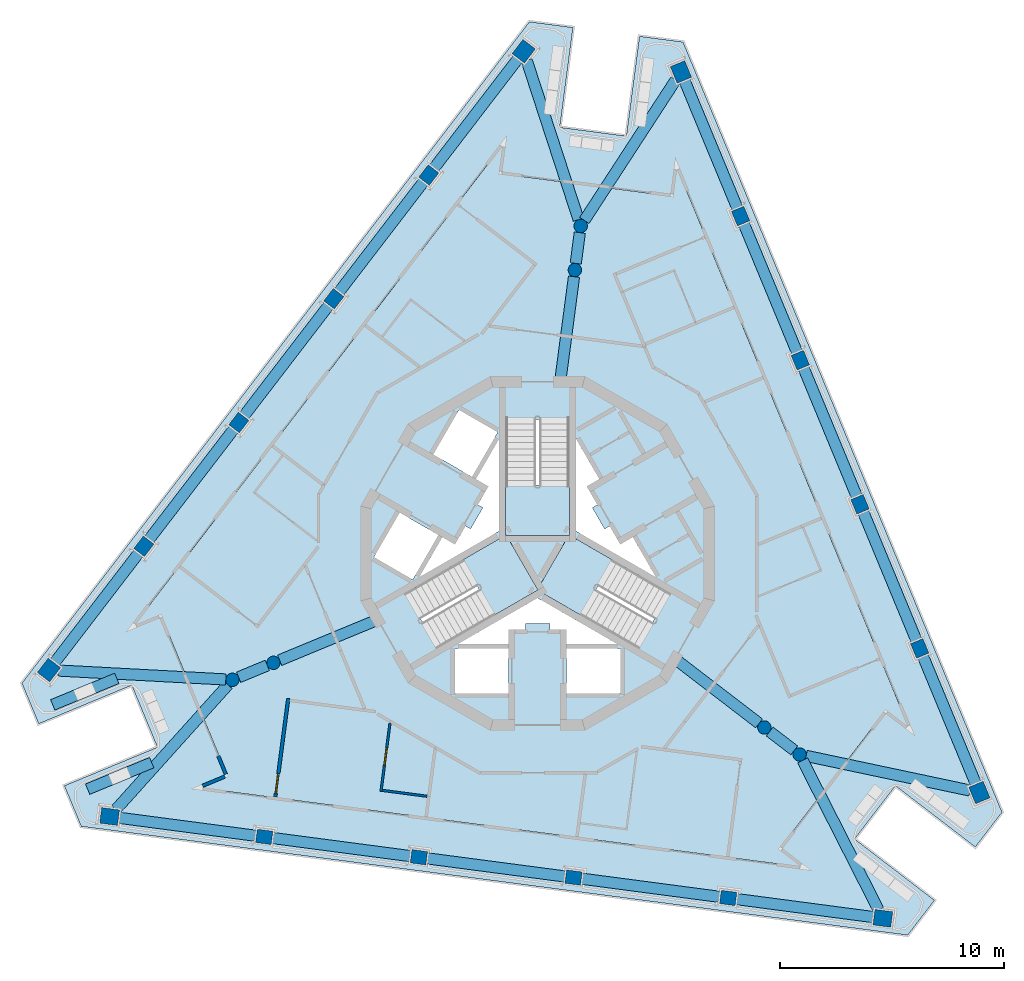
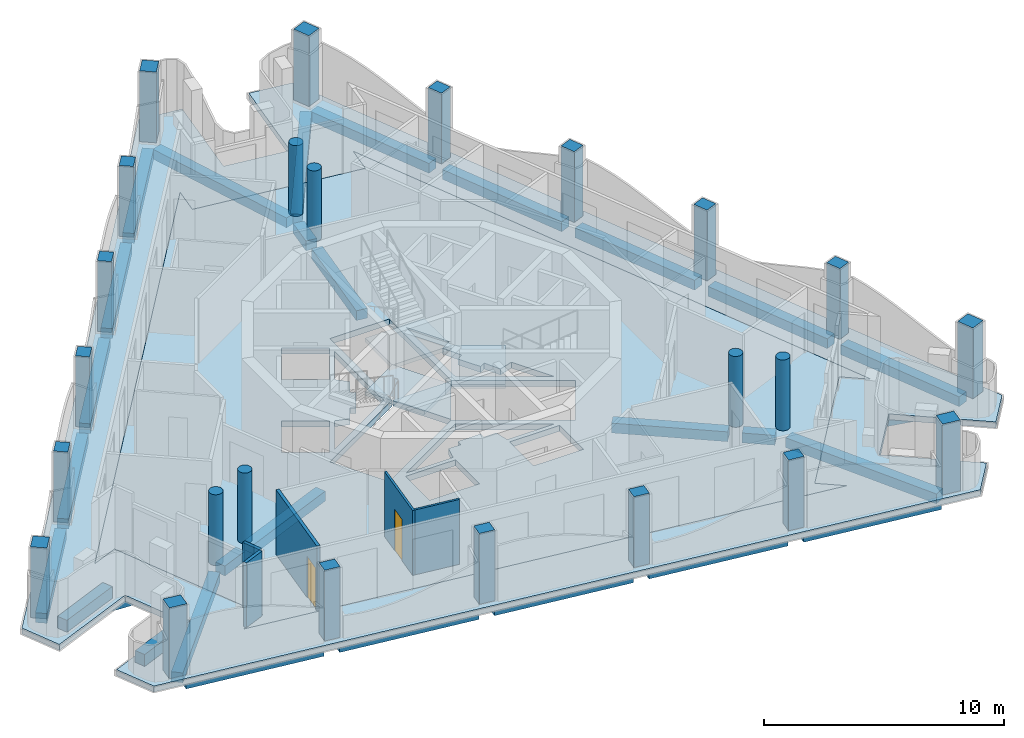
# One storey, part 1 of 12: 27 beams, 24 columns, 7 walls, 6 slabs, 2 doors, 2 openings, 3 elements without a shape of their own.
"""IFC4 building model written with IfcOpenShell, lengths in metres."""

from ifc_helpers import new_model, si_unit, direction, frame, frame_2d, origin, origin_2d, place, context, subcontext, project, spatial, polyline, rectangle, circle, outline, extrude, material, layer, layer_set, material_profile, profile_set, type_object, element, fill, aggregate, save


model = new_model("IFC4")

# Units and contexts
model_context = context("Model", 3, precision=1e-05, world=origin(), true_north=direction((0.0, 1.0)))
body_context = subcontext(model_context, "Body", "Model", "MODEL_VIEW")
ifc_project = project(units=[si_unit("LENGTHUNIT", "METRE"), si_unit("AREAUNIT", "SQUARE_METRE"), si_unit("VOLUMEUNIT", "CUBIC_METRE"), si_unit("PLANEANGLEUNIT", "RADIAN"), si_unit("MASSUNIT", "GRAM", prefix="KILO")], contexts=[model_context])

# Site, building, storey
site_placement = place(None, origin())
site = spatial("IfcSite", under=ifc_project, at=site_placement, CompositionType="ELEMENT")
building_placement = place(site_placement, origin())
building = spatial("IfcBuilding", under=site, at=building_placement, Name="Trine Commons Tower", CompositionType="ELEMENT")
storey_placement = place(building_placement, frame((0.0, 0.0, 293.39990234375)))
storey = spatial("IfcBuildingStorey", under=building, at=storey_placement, Name="L77", CompositionType="ELEMENT", Elevation=293.39990234375)

# Columns
ifc_material_1 = material(Name="Concrete C50/60", Category="concrete")
ifc_material_profile_1 = material_profile(ifc_material_1, rectangle(XDim=0.699951171875, YDim=0.60009765625, at=origin_2d()), Name="RC 700x600")
ifc_profile_set_1 = profile_set([ifc_material_profile_1], Name="Concrete C50/60")
column_type_1 = type_object("IfcColumnType", Name="RC column 700x600, C50/60", PredefinedType="COLUMN", material=ifc_profile_set_1)
for number, where, z_axis, x_axis, name in (
    (1, (88.521728515625, 47.098876953125, 0.0), (0.0, 0.0, 1.0), (-0.991444861374, 0.13052619222, 0.0), "Column PC8-02 L77"),
    (2, (81.608642578125, 48.009033203125, 0.0), (0.0, 0.0, 1.0), (-0.991444861374, 0.13052619222, 0.0), "Column PC8-03 L77"),
    (3, (74.695556640625, 48.919189453125, 0.0), (0.0, 0.0, 1.0), (-0.991444861374, 0.13052619222, 0.0), "Column PC8-04 L77"),
    (4, (67.782470703125, 49.8291015625, 0.0), (0.0, 0.0, 1.0), (-0.991444861374, 0.13052619222, 0.0), "Column PC8-05 L77"),
    (5, (62.4013671875, 62.820556640625, 0.0), (0.0, 0.0, 1.0), (0.608761429009, 0.793353340291, 0.0), "Column PC8-08 L77"),
    (6, (66.64599609375, 68.352294921875, 0.0), (0.0, 0.0, 1.0), (0.608761429009, 0.793353340291, 0.0), "Column PC8-09 L77"),
    (7, (70.890869140625, 73.88427734375, 0.0), (0.0, 0.0, 1.0), (0.608761429009, 0.793353340291, 0.0), "Column PC8-10 L77"),
    (8, (75.135498046875, 79.416015625, 0.0), (0.0, 0.0, 1.0), (0.608761429009, 0.793353340291, 0.0), "Column PC8-11 L77"),
    (9, (89.076904296875, 77.58056640625, 0.0), (0.0, 0.0, 1.0), (-0.382683432365, 0.923879532511, 0.0), "Column PC8-14 L77"),
    (10, (91.745361328125, 71.138671875, 0.0), (0.0, 0.0, 1.0), (-0.382683432365, 0.923879532511, 0.0), "Column PC8-15 L77"),
    (11, (94.41357421875, 64.69677734375, 0.0), (0.0, 0.0, 1.0), (-0.382683432365, 0.923879532511, 0.0), "Column PC8-16 L77"),
    (12, (97.081787109375, 58.254638671875, 0.0), (0.0, 0.0, 1.0), (-0.382683432365, 0.923879532511, 0.0), "Column PC8-17 L77"),
):
    element("IfcColumn", number, at=place(storey_placement, frame(where, z_axis=z_axis, x_axis=x_axis)), inside=storey, type_object=column_type_1, Name=name, PredefinedType="COLUMN", context=body_context, shape_type="SweptSolid", body=[
        extrude(rectangle(XDim=0.699951171875, YDim=0.60009765625, at=origin_2d()), origin(), (0.0, 0.0, 1.0), 3.60009765625),
    ])
ifc_material_profile_2 = material_profile(ifc_material_1, rectangle(XDim=0.800048828125, YDim=0.699951171875, at=origin_2d()), Name="RC 800x700")
ifc_profile_set_2 = profile_set([ifc_material_profile_2], Name="Concrete C50/60")
column_type_2 = type_object("IfcColumnType", Name="RC column 800x700, C50/60", PredefinedType="COLUMN", material=ifc_profile_set_2)
for number, where, z_axis, x_axis, name in (
    (13, (95.434814453125, 46.188720703125, 0.0), (0.0, 0.0, 1.0), (-0.991444861374, 0.13052619222, 0.0), "Column PC8-01 L77"),
    (14, (60.869384765625, 50.7392578125, 0.0), (0.0, 0.0, 1.0), (-0.991444861374, 0.13052619222, 0.0), "Column PC8-06 L77"),
    (15, (58.156494140625, 57.288818359375, 0.0), (0.0, 0.0, 1.0), (0.608761429009, 0.793353340291, 0.0), "Column PC8-07 L77"),
    (16, (79.380126953125, 84.947998046875, 0.0), (0.0, 0.0, 1.0), (0.608761429009, 0.793353340291, 0.0), "Column PC8-12 L77"),
    (17, (86.40869140625, 84.022705078125, 0.0), (0.0, 0.0, 1.0), (-0.382683432365, 0.923879532511, 0.0), "Column PC8-13 L77"),
    (18, (99.750244140625, 51.812744140625, 0.0), (0.0, 0.0, 1.0), (-0.382683432365, 0.923879532511, 0.0), "Column PC8-18 L77"),
):
    element("IfcColumn", number, at=place(storey_placement, frame(where, z_axis=z_axis, x_axis=x_axis)), inside=storey, type_object=column_type_2, Name=name, PredefinedType="COLUMN", context=body_context, shape_type="SweptSolid", body=[
        extrude(rectangle(XDim=0.800048828125, YDim=0.699951171875, at=origin_2d()), origin(), (0.0, 0.0, 1.0), 3.60009765625),
    ])
ifc_material_profile_3 = material_profile(ifc_material_1, circle(Radius=0.300048828125, at=origin_2d()), Name="RC round 600")
ifc_profile_set_3 = profile_set([ifc_material_profile_3], Name="Concrete C50/60")
column_type_3 = type_object("IfcColumnType", Name="RC round column 600 mm, C50/60", PredefinedType="COLUMN", material=ifc_profile_set_3)
for number, where, z_axis, x_axis, name in (
    (19, (90.137451171875, 54.72119140625, 0.0), (0.0, 0.0, 1.0), (1.0, 0.0, 0.0), "Column WC8-1 L77"),
    (20, (91.711669921875, 53.513427734375, 0.0), (0.0, 0.0, 1.0), (1.0, 0.0, 0.0), "Column WC8-2 L77"),
    (21, (81.66796875, 75.168701171875, 0.0), (0.0, 0.0, 1.0), (1.0, 0.0, 0.0), "Column WC8-3 L77"),
    (22, (81.927001953125, 77.135986328125, 0.0), (0.0, 0.0, 1.0), (1.0, 0.0, 0.0), "Column WC8-4 L77"),
    (23, (68.194580078125, 57.610107421875, 0.0), (0.0, 0.0, 1.0), (1.0, 0.0, 0.0), "Column WC8-5 L77"),
    (24, (66.361572265625, 56.850830078125, 0.0), (0.0, 0.0, 1.0), (1.0, 0.0, 0.0), "Column WC8-6 L77"),
):
    element("IfcColumn", number, at=place(storey_placement, frame(where, z_axis=z_axis, x_axis=x_axis)), inside=storey, type_object=column_type_3, Name=name, PredefinedType="COLUMN", context=body_context, shape_type="SweptSolid", body=[
        extrude(circle(Radius=0.300048828125, at=origin_2d()), origin(), (0.0, 0.0, 1.0), 3.60009765625),
    ])

# Beams
ifc_material_2 = material(Name="Concrete C40/50", Category="concrete")
ifc_material_profile_4 = material_profile(ifc_material_2, rectangle(XDim=0.5, YDim=0.5, at=origin_2d()), Name="RC 500x500")
ifc_profile_set_4 = profile_set([ifc_material_profile_4], Name="Concrete C40/50")
beam_type = type_object("IfcBeamType", Name="RC beam 500x500, C40/50", PredefinedType="BEAM", material=ifc_profile_set_4)
beam_1_placement = place(storey_placement, frame((95.0380859375, 46.240966796875, -0.5498046875), z_axis=(-0.991444143506, 0.130531644853, 0.0), x_axis=(-0.130531644853, -0.991444143506, 0.0)))
element("IfcBeam", 25, at=beam_1_placement, inside=storey, type_object=beam_type, Name="Beam EB8-01 L77", PredefinedType="BEAM", context=body_context, shape_type="SweptSolid", body=[
    extrude(rectangle(XDim=0.5, YDim=0.5, at=origin_2d()), origin(), (0.0, 0.0, 1.0), 6.22265625),
])
beam_2_placement = place(storey_placement, frame((88.1748046875, 47.14453125, -0.5498046875), z_axis=(-0.9914427663, 0.130542104902, 0.0), x_axis=(-0.130542104902, -0.9914427663, 0.0)))
element("IfcBeam", 26, at=beam_2_placement, inside=storey, type_object=beam_type, Name="Beam EB8-02 L77", PredefinedType="BEAM", context=body_context, shape_type="SweptSolid", body=[
    extrude(rectangle(XDim=0.5, YDim=0.5, at=origin_2d()), origin(), (0.0, 0.0, 1.0), 6.272705078125),
])
for number, where, z_axis, x_axis, name in (
    (27, (81.26171875, 48.0546875, -0.5498046875), (-0.991448465824, 0.130498810784, 0.0), (-0.130498810784, -0.991448465824, 0.0), "Beam EB8-03 L77"),
    (28, (74.3486328125, 48.96484375, -0.5498046875), (-0.991448465824, 0.130498810784, 0.0), (-0.130498810784, -0.991448465824, 0.0), "Beam EB8-04 L77"),
):
    element("IfcBeam", number, at=place(storey_placement, frame(where, z_axis=z_axis, x_axis=x_axis)), inside=storey, type_object=beam_type, Name=name, PredefinedType="BEAM", context=body_context, shape_type="SweptSolid", body=[
        extrude(rectangle(XDim=0.5, YDim=0.5, at=origin_2d()), origin(), (0.0, 0.0, 1.0), 6.27294921875),
    ])
for number, where, z_axis, x_axis, name in (
    (29, (67.435546875, 49.875, -0.5498046875), (-0.991449220248, 0.130493079009, 0.0), (-0.130493079009, -0.991449220248, 0.0), "Beam EB8-05 L77"),
    (30, (58.400146484375, 57.60595703125, -0.5498046875), (0.60875848978, 0.793355595632, 0.0), (-0.793355595632, 0.60875848978, 0.0), "Beam EB8-06 L77"),
):
    element("IfcBeam", number, at=place(storey_placement, frame(where, z_axis=z_axis, x_axis=x_axis)), inside=storey, type_object=beam_type, Name=name, PredefinedType="BEAM", context=body_context, shape_type="SweptSolid", body=[
        extrude(rectangle(XDim=0.5, YDim=0.5, at=origin_2d()), origin(), (0.0, 0.0, 1.0), 6.22265625),
    ])
for number, where, z_axis, x_axis, name in (
    (31, (62.614501953125, 63.09814453125, -0.5498046875), (0.608756693169, 0.793356974206, 0.0), (-0.793356974206, 0.608756693169, 0.0), "Beam EB8-07 L77"),
    (32, (66.859130859375, 68.630126953125, -0.5498046875), (0.608775490712, 0.793342550169, 0.0), (-0.793342550169, 0.608775490712, 0.0), "Beam EB8-08 L77"),
):
    element("IfcBeam", number, at=place(storey_placement, frame(where, z_axis=z_axis, x_axis=x_axis)), inside=storey, type_object=beam_type, Name=name, PredefinedType="BEAM", context=body_context, shape_type="SweptSolid", body=[
        extrude(rectangle(XDim=0.5, YDim=0.5, at=origin_2d()), origin(), (0.0, 0.0, 1.0), 6.272705078125),
    ])
beam_3_placement = place(storey_placement, frame((71.10400390625, 74.161865234375, -0.5498046875), z_axis=(0.608750992772, 0.793361348188, 0.0), x_axis=(-0.793361348188, 0.608750992772, 0.0)))
element("IfcBeam", 33, at=beam_3_placement, inside=storey, type_object=beam_type, Name="Beam EB8-09 L77", PredefinedType="BEAM", context=body_context, shape_type="SweptSolid", body=[
    extrude(rectangle(XDim=0.5, YDim=0.5, at=origin_2d()), origin(), (0.0, 0.0, 1.0), 6.2724609375),
])
beam_4_placement = place(storey_placement, frame((75.3486328125, 79.693603515625, -0.5498046875), z_axis=(0.60873954155, 0.793370134649, 0.0), x_axis=(-0.793370134649, 0.60873954155, 0.0)))
element("IfcBeam", 34, at=beam_4_placement, inside=storey, type_object=beam_type, Name="Beam EB8-10 L77", PredefinedType="BEAM", context=body_context, shape_type="SweptSolid", body=[
    extrude(rectangle(XDim=0.5, YDim=0.5, at=origin_2d()), origin(), (0.0, 0.0, 1.0), 6.222900390625),
])
beam_5_placement = place(storey_placement, frame((86.561767578125, 83.653076171875, -0.5498046875), z_axis=(0.382686748804, -0.92387815879, 0.0), x_axis=(0.92387815879, 0.382686748804, 0.0)))
element("IfcBeam", 35, at=beam_5_placement, inside=storey, type_object=beam_type, Name="Beam EB8-11 L77", PredefinedType="BEAM", context=body_context, shape_type="SweptSolid", body=[
    extrude(rectangle(XDim=0.5, YDim=0.5, at=origin_2d()), origin(), (0.0, 0.0, 1.0), 6.22265625),
])
beam_6_placement = place(storey_placement, frame((89.210693359375, 77.257080078125, -0.5498046875), z_axis=(0.382724191967, -0.923862648278, 0.0), x_axis=(0.923862648278, 0.382724191967, 0.0)))
element("IfcBeam", 36, at=beam_6_placement, inside=storey, type_object=beam_type, Name="Beam EB8-12 L77", PredefinedType="BEAM", context=body_context, shape_type="SweptSolid", body=[
    extrude(rectangle(XDim=0.5, YDim=0.5, at=origin_2d()), origin(), (0.0, 0.0, 1.0), 6.2724609375),
])
for number, where, z_axis, x_axis, name in (
    (37, (91.879150390625, 70.815185546875, -0.5498046875), (0.38271043005, -0.923868349242, 0.0), (0.923868349242, 0.38271043005, 0.0), "Beam EB8-13 L77"),
    (38, (94.547607421875, 64.373291015625, -0.5498046875), (0.38267720894, -0.923882110314, 0.0), (0.923882110314, 0.38267720894, 0.0), "Beam EB8-14 L77"),
):
    element("IfcBeam", number, at=place(storey_placement, frame(where, z_axis=z_axis, x_axis=x_axis)), inside=storey, type_object=beam_type, Name=name, PredefinedType="BEAM", context=body_context, shape_type="SweptSolid", body=[
        extrude(rectangle(XDim=0.5, YDim=0.5, at=origin_2d()), origin(), (0.0, 0.0, 1.0), 6.272705078125),
    ])
beam_7_placement = place(storey_placement, frame((97.2158203125, 57.931396484375, -0.5498046875), z_axis=(0.382686748804, -0.92387815879, 0.0), x_axis=(0.92387815879, 0.382686748804, 0.0)))
element("IfcBeam", 39, at=beam_7_placement, inside=storey, type_object=beam_type, Name="Beam EB8-15 L77", PredefinedType="BEAM", context=body_context, shape_type="SweptSolid", body=[
    extrude(rectangle(XDim=0.5, YDim=0.5, at=origin_2d()), origin(), (0.0, 0.0, 1.0), 6.22265625),
])
beam_8_placement = place(storey_placement, frame((61.1533203125, 51.054931640625, -0.5498046875), z_axis=(0.668383038107, 0.743817258721, 0.0), x_axis=(-0.743817258721, 0.668383038107, 0.0)))
element("IfcBeam", 40, at=beam_8_placement, inside=storey, type_object=beam_type, Name="Beam CB8-01 L77", PredefinedType="BEAM", context=body_context, shape_type="SweptSolid", body=[
    extrude(rectangle(XDim=0.5, YDim=0.5, at=origin_2d()), origin(), (0.0, 0.0, 1.0), 7.492431640625),
])
beam_9_placement = place(storey_placement, frame((58.580322265625, 57.26611328125, -0.5498046875), z_axis=(0.998578123195, -0.053307896938, 0.0), x_axis=(0.053307896938, 0.998578123195, 0.0)))
element("IfcBeam", 41, at=beam_9_placement, inside=storey, type_object=beam_type, Name="Beam CB8-02 L77", PredefinedType="BEAM", context=body_context, shape_type="SweptSolid", body=[
    extrude(rectangle(XDim=0.5, YDim=0.5, at=origin_2d()), origin(), (0.0, 0.0, 1.0), 7.49267578125),
])
for number, where, z_axis, x_axis, name in (
    (42, (79.51171875, 84.54443359375, -0.5498046875), (0.309945045927, -0.950754473303, 0.0), (0.950754473303, 0.309945045927, 0.0), "Beam CB8-03 L77"),
    (43, (86.177001953125, 83.6669921875, -0.5498046875), (-0.545439536042, -0.838150173013, 0.0), (0.838150173013, -0.545439536042, 0.0), "Beam CB8-04 L77"),
):
    element("IfcBeam", number, at=place(storey_placement, frame(where, z_axis=z_axis, x_axis=x_axis)), inside=storey, type_object=beam_type, Name=name, PredefinedType="BEAM", context=body_context, shape_type="SweptSolid", body=[
        extrude(rectangle(XDim=0.5, YDim=0.5, at=origin_2d()), origin(), (0.0, 0.0, 1.0), 7.492431640625),
    ])
beam_10_placement = place(storey_placement, frame((99.335205078125, 51.900634765625, -0.5498046875), z_axis=(-0.978346023525, 0.206975984727, 0.0), x_axis=(-0.206975984727, -0.978346023525, 0.0)))
element("IfcBeam", 44, at=beam_10_placement, inside=storey, type_object=beam_type, Name="Beam CB8-05 L77", PredefinedType="BEAM", context=body_context, shape_type="SweptSolid", body=[
    extrude(rectangle(XDim=0.5, YDim=0.5, at=origin_2d()), origin(), (0.0, 0.0, 1.0), 7.49267578125),
])
beam_11_placement = place(storey_placement, frame((95.242431640625, 46.56689453125, -0.5498046875), z_axis=(-0.453121168072, 0.891448936869, 0.0), x_axis=(-0.891448936869, -0.453121168072, 0.0)))
element("IfcBeam", 45, at=beam_11_placement, inside=storey, type_object=beam_type, Name="Beam CB8-06 L77", PredefinedType="BEAM", context=body_context, shape_type="SweptSolid", body=[
    extrude(rectangle(XDim=0.5, YDim=0.5, at=origin_2d()), origin(), (0.0, 0.0, 1.0), 7.492431640625),
])
beam_12_placement = place(storey_placement, frame((86.020751953125, 57.880126953125, -0.5498046875), z_axis=(0.793360362614, -0.60875227723, 0.0), x_axis=(0.60875227723, 0.793360362614, 0.0)))
element("IfcBeam", 46, at=beam_12_placement, inside=storey, type_object=beam_type, Name="Beam RB8-01 L77", PredefinedType="BEAM", context=body_context, shape_type="SweptSolid", body=[
    extrude(rectangle(XDim=0.5, YDim=0.5, at=origin_2d()), origin(), (0.0, 0.0, 1.0), 4.88916015625),
])
beam_13_placement = place(storey_placement, frame((90.375244140625, 54.538818359375, -0.5498046875), z_axis=(0.793350909005, -0.60876459751, 0.0), x_axis=(0.60876459751, 0.793350909005, 0.0)))
element("IfcBeam", 47, at=beam_13_placement, inside=storey, type_object=beam_type, Name="Beam RB8-02 L77", PredefinedType="BEAM", context=body_context, shape_type="SweptSolid", body=[
    extrude(rectangle(XDim=0.5, YDim=0.5, at=origin_2d()), origin(), (0.0, 0.0, 1.0), 1.384765625),
])
beam_14_placement = place(storey_placement, frame((80.990478515625, 70.02392578125, -0.5498046875), z_axis=(0.130570757815, 0.991438993183, 0.0), x_axis=(-0.991438993183, 0.130570757815, 0.0)))
element("IfcBeam", 48, at=beam_14_placement, inside=storey, type_object=beam_type, Name="Beam RB8-03 L77", PredefinedType="BEAM", context=body_context, shape_type="SweptSolid", body=[
    extrude(rectangle(XDim=0.5, YDim=0.5, at=origin_2d()), origin(), (0.0, 0.0, 1.0), 4.889404296875),
])
beam_15_placement = place(storey_placement, frame((81.70703125, 75.4658203125, -0.5498046875), z_axis=(0.130454512571, 0.991454295543, 0.0), x_axis=(-0.991454295543, 0.130454512571, 0.0)))
element("IfcBeam", 49, at=beam_15_placement, inside=storey, type_object=beam_type, Name="Beam RB8-04 L77", PredefinedType="BEAM", context=body_context, shape_type="SweptSolid", body=[
    extrude(rectangle(XDim=0.5, YDim=0.5, at=origin_2d()), origin(), (0.0, 0.0, 1.0), 1.384765625),
])
beam_16_placement = place(storey_placement, frame((72.98876953125, 59.595703125, -0.5498046875), z_axis=(-0.923885978684, -0.382667869556, 0.0), x_axis=(0.382667869556, -0.923885978684, 0.0)))
element("IfcBeam", 50, at=beam_16_placement, inside=storey, type_object=beam_type, Name="Beam RB8-05 L77", PredefinedType="BEAM", context=body_context, shape_type="SweptSolid", body=[
    extrude(rectangle(XDim=0.5, YDim=0.5, at=origin_2d()), origin(), (0.0, 0.0, 1.0), 4.888916015625),
])
beam_17_placement = place(storey_placement, frame((67.91748046875, 57.495361328125, -0.5498046875), z_axis=(-0.923857745483, -0.38273602667, 0.0), x_axis=(0.38273602667, -0.923857745483, 0.0)))
element("IfcBeam", 51, at=beam_17_placement, inside=storey, type_object=beam_type, Name="Beam RB8-06 L77", PredefinedType="BEAM", context=body_context, shape_type="SweptSolid", body=[
    extrude(rectangle(XDim=0.5, YDim=0.5, at=origin_2d()), origin(), (0.0, 0.0, 1.0), 1.38427734375),
])

# Slabs
ifc_layer_1 = layer(ifc_material_2, 0.300048828125)
ifc_layer_set_1 = layer_set([ifc_layer_1], Name="Concrete C40/50")
slab_type_1 = type_object("IfcSlabType", Name="Loggia slab 300 mm, C40/50", PredefinedType="FLOOR", material=ifc_layer_set_1)
slab_1_placement = place(storey_placement, frame((0.0, 0.0, -0.2998046875)))
element("IfcSlab", 52, at=slab_1_placement, inside=storey, type_object=slab_type_1, Name="Loggia slab L77", PredefinedType="FLOOR", context=body_context, shape_type="SweptSolid", body=[
    extrude(outline(polyline([(100.763916015625, 50.933837890625), (86.503662109375, 85.36083984375), (84.556396484375, 85.6171875), (83.968994140625, 81.15576171875), (80.99462890625, 81.54736328125), (81.58203125, 86.0087890625), (79.634765625, 86.26513671875), (56.9501953125, 56.701904296875), (57.70166015625, 54.88720703125), (61.859130859375, 56.609375), (63.007080078125, 53.837890625), (58.849853515625, 52.11572265625), (59.601318359375, 50.301025390625), (96.546142578125, 45.437255859375), (97.741943359375, 46.99560546875), (94.171875, 49.73486328125), (95.998046875, 52.114990234375), (99.568115234375, 49.37548828125), (100.763916015625, 50.933837890625)]), holes=[polyline([(63.158203125, 59.7451171875), (66.14306640625, 52.538818359375), (64.900390625, 52.024169921875), (91.873779296875, 48.47314453125), (90.806640625, 49.2919921875), (95.55517578125, 55.47998046875), (96.6220703125, 54.6611328125), (86.210693359375, 79.79638671875), (86.03515625, 78.462890625), (78.302001953125, 79.481201171875), (78.4775390625, 80.814697265625), (61.915283203125, 59.23046875), (63.158203125, 59.7451171875)])]), origin(), (0.0, 0.0, 1.0), 0.2998046875),
])
ifc_layer_2 = layer(ifc_material_2, 0.300048828125)
ifc_layer_set_2 = layer_set([ifc_layer_2], Name="Concrete C40/50")
slab_type_2 = type_object("IfcSlabType", Name="PT flat slab 300 mm, C40/50", PredefinedType="FLOOR", material=ifc_layer_set_2)
slab_2_placement = place(storey_placement, frame((0.0, 0.0, -0.2998046875)))
element("IfcSlab", 53, at=slab_2_placement, inside=storey, type_object=slab_type_2, Name="Floor slab L77", PredefinedType="FLOOR", context=body_context, shape_type="SweptSolid", body=[
    extrude(outline(polyline([(61.915283203125, 59.23046875), (63.158203125, 59.7451171875), (66.14306640625, 52.538818359375), (64.900390625, 52.024169921875), (91.873779296875, 48.47314453125), (90.806640625, 49.2919921875), (95.55517578125, 55.47998046875), (96.6220703125, 54.6611328125), (86.210693359375, 79.79638671875), (86.03515625, 78.462890625), (78.302001953125, 79.481201171875), (78.4775390625, 80.814697265625), (61.915283203125, 59.23046875)]), holes=[polyline([(78.699951171875, 56.25), (78.699951171875, 58.25), (76.300048828125, 58.25), (76.300048828125, 56.25), (78.699951171875, 56.25)]), polyline([(83.699951171875, 56.25), (83.699951171875, 58.25), (81.300048828125, 58.25), (81.300048828125, 56.25), (83.699951171875, 56.25)]), polyline([(81.300048828125, 58.449951171875), (83.56494140625, 58.449951171875), (80.0, 60.508056640625), (76.43505859375, 58.449951171875), (78.699951171875, 58.449951171875), (78.85009765625, 59.10009765625), (79.449951171875, 59.10009765625), (79.449951171875, 59.360107421875), (80.550048828125, 59.360107421875), (80.550048828125, 59.10009765625), (81.14990234375, 59.10009765625), (81.300048828125, 58.449951171875)]), polyline([(81.425048828125, 63.32275390625), (81.425048828125, 68.490478515625), (78.574951171875, 68.490478515625), (78.574951171875, 63.32275390625), (74.099609375, 60.73876953125), (75.5244140625, 58.2705078125), (80.0, 60.8544921875), (84.4755859375, 58.2705078125), (85.900390625, 60.73876953125), (81.425048828125, 63.32275390625)]), polyline([(72.687255859375, 62.333984375), (74.41943359375, 61.333984375), (75.5693359375, 63.325927734375), (73.83740234375, 64.325927734375), (72.687255859375, 62.333984375)]), polyline([(76.381103515625, 63.031005859375), (75.742919921875, 63.22607421875), (74.7099609375, 61.43798828125), (78.27490234375, 63.49609375), (78.27490234375, 67.612060546875), (77.242919921875, 65.823974609375), (77.73095703125, 65.368896484375), (77.3310546875, 64.676025390625), (77.555908203125, 64.5458984375), (77.006103515625, 63.593994140625), (76.781005859375, 63.722900390625), (76.381103515625, 63.031005859375)]), polyline([(82.993896484375, 63.593994140625), (82.444091796875, 64.5458984375), (82.72705078125, 64.7099609375), (82.281005859375, 65.549072265625), (82.757080078125, 65.823974609375), (81.72509765625, 67.612060546875), (81.72509765625, 63.49609375), (85.2900390625, 61.43798828125), (84.257080078125, 63.22607421875), (83.618896484375, 63.031005859375), (83.243896484375, 63.738037109375), (82.993896484375, 63.593994140625)]), polyline([(76.4873046875, 68.916015625), (75.33740234375, 66.924072265625), (77.0693359375, 65.924072265625), (78.219482421875, 67.916015625), (76.4873046875, 68.916015625)])]), origin(), (0.0, 0.0, 1.0), 0.2998046875),
])
slab_3_placement = place(storey_placement, frame((0.0, 0.0, -0.2998046875)))
element("IfcSlab", 54, at=slab_3_placement, inside=storey, type_object=slab_type_2, Name="Floor slab L77 2", PredefinedType="FLOOR", context=body_context, shape_type="SweptSolid", body=[
    extrude(outline(polyline([(81.38671875, 63.300537109375), (78.61328125, 63.300537109375), (80.0, 60.89892578125), (81.38671875, 63.300537109375)])), origin(), (0.0, 0.0, 1.0), 0.2998046875),
])

# Stair, slab
stair_type = type_object("IfcStairType", Name="Exit stair, dog-leg, 24 risers of 150 mm", PredefinedType="HALF_TURN_STAIR", material=ifc_material_1)
stair_1_placement = place(storey_placement, origin())
stair_1 = element("IfcStair", 55, at=stair_1_placement, inside=storey, type_object=stair_type, Name="L77 Exit stair ST1D", PredefinedType="HALF_TURN_STAIR")
ifc_layer_3 = layer(ifc_material_1, 0.199951171875)
ifc_layer_set_3 = layer_set([ifc_layer_3], Name="Concrete C50/60")
slab_type_3 = type_object("IfcSlabType", Name="Stair landing slab 200 mm, C50/60", PredefinedType="LANDING", material=ifc_layer_set_3)
slab_4_placement = place(storey_placement, frame((0.0, 0.0, 1.60009765625)))
slab_4 = element("IfcSlab", 56, at=slab_4_placement, type_object=slab_type_3, Name="ST1D landing 1", PredefinedType="LANDING", context=body_context, shape_type="SweptSolid", body=[
    extrude(outline(polyline([(78.574951171875, 65.570556640625), (78.574951171875, 63.300537109375), (81.425048828125, 63.300537109375), (81.425048828125, 65.570556640625), (78.574951171875, 65.570556640625)])), origin(), (0.0, 0.0, 1.0), 0.199951171875),
])
aggregate(stair_1, [slab_4])

stair_2_placement = place(storey_placement, origin())
stair_2 = element("IfcStair", 57, at=stair_2_placement, inside=storey, type_object=stair_type, Name="L77 Exit stair ST2D", PredefinedType="HALF_TURN_STAIR")
slab_5_placement = place(storey_placement, frame((0.0, 0.0, 1.60009765625)))
slab_5 = element("IfcSlab", 58, at=slab_5_placement, type_object=slab_type_3, Name="ST2D landing 1", PredefinedType="LANDING", context=body_context, shape_type="SweptSolid", body=[
    extrude(outline(polyline([(78.05322265625, 59.730712890625), (80.019287109375, 60.86572265625), (78.59423828125, 63.333740234375), (76.628173828125, 62.19873046875), (78.05322265625, 59.730712890625)])), origin(), (0.0, 0.0, 1.0), 0.199951171875),
])
aggregate(stair_2, [slab_5])

stair_3_placement = place(storey_placement, origin())
stair_3 = element("IfcStair", 59, at=stair_3_placement, inside=storey, type_object=stair_type, Name="L77 Exit stair ST3D", PredefinedType="HALF_TURN_STAIR")
slab_6_placement = place(storey_placement, frame((0.0, 0.0, 1.60009765625)))
slab_6 = element("IfcSlab", 60, at=slab_6_placement, type_object=slab_type_3, Name="ST3D landing 1", PredefinedType="LANDING", context=body_context, shape_type="SweptSolid", body=[
    extrude(outline(polyline([(83.371826171875, 62.19873046875), (81.40576171875, 63.333740234375), (79.980712890625, 60.86572265625), (81.94677734375, 59.730712890625), (83.371826171875, 62.19873046875)])), origin(), (0.0, 0.0, 1.0), 0.199951171875),
])
aggregate(stair_3, [slab_6])

# Walls
ifc_material_3 = material(Name="Aluminium-framed insulated wall panel", Category="aluminium")
ifc_layer_4 = layer(ifc_material_3, 0.14990234375)
ifc_layer_set_4 = layer_set([ifc_layer_4], Name="Aluminium-framed insulated wall panel")
wall_type_1 = type_object("IfcWallType", Name="Glazed frame wall 150, EI 60", PredefinedType="SOLIDWALL", material=ifc_layer_set_4)
wall_1_placement = place(storey_placement, frame((64.886962890625, 52.056396484375, 0.0), z_axis=(0.0, 0.0, 1.0), x_axis=(0.923837625967, 0.382784588048, 0.0)))
element("IfcWall", 61, at=wall_1_placement, inside=storey, type_object=wall_type_1, Name="Glazed frame wall R10", PredefinedType="SOLIDWALL", context=body_context, shape_type="SweptSolid", body=[
    extrude(outline(polyline([(0.1494140625, 0.074951171875), (0.1494140625, -0.074951171875), (1.235107421875, -0.074951171875), (1.235107421875, 0.074951171875), (0.1494140625, 0.074951171875)])), origin(), (0.0, 0.0, 1.0), 3.300048828125),
])
wall_2_placement = place(storey_placement, frame((66.110595703125, 52.525390625, 0.0), z_axis=(0.0, 0.0, 1.0), x_axis=(-0.382517086072, 0.923948417858, 0.0)))
element("IfcWall", 62, at=wall_2_placement, inside=storey, type_object=wall_type_1, Name="Glazed frame wall P3.1", PredefinedType="SOLIDWALL", context=body_context, shape_type="SweptSolid", body=[
    extrude(outline(polyline([(0.110107421875, -0.074951171875), (1.0, -0.074951171875), (1.0, 0.074951171875), (0.110107421875, 0.074951171875), (0.110107421875, -0.074951171875)])), origin(), (0.0, 0.0, 1.0), 3.300048828125),
])
ifc_material_4 = material(Name="Planter trough, precast concrete C40/50", Category="concrete")
ifc_layer_5 = layer(ifc_material_4, 0.5)
ifc_layer_set_5 = layer_set([ifc_layer_5], Name="Planter trough, precast concrete C40/50")
wall_type_2 = type_object("IfcWallType", Name="Planter trough 500x600", PredefinedType="PARAPET", material=ifc_layer_set_5)
for number, where, z_axis, x_axis, name in (
    (63, (59.887939453125, 51.961181640625, 0.0), (0.0, 0.0, 1.0), (0.923883411188, 0.382674068277, 0.0), "Planter 1"),
    (64, (61.190673828125, 56.9169921875, 0.0), (0.0, 0.0, 1.0), (-0.923883411188, -0.382674068277, 0.0), "Planter 3"),
):
    element("IfcWall", number, at=place(storey_placement, frame(where, z_axis=z_axis, x_axis=x_axis)), inside=storey, type_object=wall_type_2, Name=name, PredefinedType="PARAPET", context=body_context, shape_type="SweptSolid", body=[
        extrude(rectangle(XDim=3.099853515625, YDim=0.5, at=frame_2d((1.5498046875, 0.0))), origin(), (0.0, 0.0, 1.0), 0.60009765625),
    ])

# Wall, opening, door
ifc_material_5 = material(Name="Gypsum plasterboard on steel stud", Category="steel")
ifc_layer_6 = layer(ifc_material_5, 0.14990234375)
ifc_layer_set_6 = layer_set([ifc_layer_6], Name="Gypsum plasterboard on steel stud")
wall_type_3 = type_object("IfcWallType", Name="Unit and corridor wall 150 mm, EI 60", PredefinedType="PARTITIONING", material=ifc_layer_set_6)
wall_3_placement = place(storey_placement, frame((68.277099609375, 51.61962890625, 0.0), z_axis=(0.0, 0.0, 1.0), x_axis=(0.13044739357, 0.991455232227, 0.0)))
wall_3 = element("IfcWall", 65, at=wall_3_placement, inside=storey, type_object=wall_type_3, Name="Partition 006", PredefinedType="PARTITIONING", context=body_context, shape_type="SweptSolid", body=[
    extrude(rectangle(XDim=4.435546875, YDim=0.14990234375, at=frame_2d((2.2177734375, 0.0))), origin(), (0.0, 0.0, 1.0), 3.300048828125),
])
opening_1_placement = place(wall_3_placement, frame((0.14990234375, 0.0, 0.0)))
opening_1 = element("IfcOpeningElement", 66, at=opening_1_placement, cuts=wall_3, Name="Opening D-8C13", PredefinedType="OPENING", context=body_context, shape_type="SweptSolid", body=[
    extrude(rectangle(XDim=0.89990234375, YDim=2.10009765625, at=frame_2d((0.449951171875, 1.050048828125))), frame((0.0, 0.0849609375, 0.0), z_axis=(0.0, -1.0, 0.0), x_axis=(1.0, 0.0, 0.0)), (0.0, 0.0, 1.0), 0.169921875),
])
ifc_material_6 = material(Name="Timber fire door set", Category="wood")
door_type_1 = type_object("IfcDoorType", Name="Bedroom door 900 x 2100, FD30S", OperationType="NOTDEFINED", PredefinedType="DOOR", material=ifc_material_6)
door_1_placement = place(opening_1_placement, frame((0.89990234375, 0.0, 0.0), z_axis=(0.0, 0.0, 1.0), x_axis=(-1.0, 0.0, 0.0)))
door_1 = element("IfcDoor", 67, at=door_1_placement, inside=storey, type_object=door_type_1, Name="Door D-8C13", OperationType="SINGLE_SWING_RIGHT", OverallHeight=2.10009765625, OverallWidth=0.89990234375, PredefinedType="DOOR", context=body_context, shape_type="SweptSolid", body=[
    extrude(rectangle(XDim=0.89990234375, YDim=2.10009765625, at=frame_2d((0.449951171875, 1.050048828125))), frame((0.0, 0.02490234375, 0.0), z_axis=(0.0, -1.0, 0.0), x_axis=(1.0, 0.0, 0.0)), (0.0, 0.0, 1.0), 0.050048828125),
])
fill(opening_1, door_1)

ifc_layer_7 = layer(ifc_material_5, 0.10009765625)
ifc_layer_set_7 = layer_set([ifc_layer_7], Name="Gypsum plasterboard on steel stud")
wall_type_4 = type_object("IfcWallType", Name="Unit partition 100 mm, no rating", PredefinedType="PARTITIONING", material=ifc_layer_set_7)
wall_4_placement = place(storey_placement, frame((73.00146484375, 51.865478515625, 0.0), z_axis=(0.0, 0.0, 1.0), x_axis=(0.130542729223, 0.991442684096, 0.0)))
wall_4 = element("IfcWall", 68, at=wall_4_placement, inside=storey, type_object=wall_type_4, Name="Partition 018", PredefinedType="PARTITIONING", context=body_context, shape_type="SweptSolid", body=[
    extrude(rectangle(XDim=3.078369140625, YDim=0.10009765625, at=frame_2d((1.5390625, 0.0))), origin(), (0.0, 0.0, 1.0), 3.300048828125),
])
opening_2_placement = place(wall_4_placement, frame((1.164306640625, 0.0, 0.0)))
opening_2 = element("IfcOpeningElement", 69, at=opening_2_placement, cuts=wall_4, Name="Opening D-8C19", PredefinedType="OPENING", context=body_context, shape_type="SweptSolid", body=[
    extrude(rectangle(XDim=0.800048828125, YDim=2.10009765625, at=frame_2d((0.39990234375, 1.050048828125))), frame((0.0, 0.06005859375, 0.0), z_axis=(0.0, -1.0, 0.0), x_axis=(1.0, 0.0, 0.0)), (0.0, 0.0, 1.0), 0.1201171875),
])
ifc_material_7 = material(Name="Painted timber", Category="wood")
door_type_2 = type_object("IfcDoorType", Name="Internal door 800 x 2100, NOT RATED", OperationType="NOTDEFINED", PredefinedType="DOOR", material=ifc_material_7)
door_2_placement = place(opening_2_placement, origin())
door_2 = element("IfcDoor", 70, at=door_2_placement, inside=storey, type_object=door_type_2, Name="Door D-8C19", OperationType="SINGLE_SWING_RIGHT", OverallHeight=2.10009765625, OverallWidth=0.800048828125, PredefinedType="DOOR", context=body_context, shape_type="SweptSolid", body=[
    extrude(rectangle(XDim=0.800048828125, YDim=2.10009765625, at=frame_2d((0.39990234375, 1.050048828125))), frame((0.0, 0.02490234375, 0.0), z_axis=(0.0, -1.0, 0.0), x_axis=(1.0, 0.0, 0.0)), (0.0, 0.0, 1.0), 0.050048828125),
])
fill(opening_2, door_2)

# Wall
wall_5_placement = place(storey_placement, frame((73.0576171875, 51.908447265625, 0.0), z_axis=(0.0, 0.0, 1.0), x_axis=(0.991480956984, -0.130251725282, 0.0)))
element("IfcWall", 71, at=wall_5_placement, inside=storey, type_object=wall_type_4, Name="Partition 019", PredefinedType="PARTITIONING", context=body_context, shape_type="SweptSolid", body=[
    extrude(rectangle(XDim=2.0244140625, YDim=0.10009765625, at=frame_2d((1.01220703125, 0.0))), origin(), (0.0, 0.0, 1.0), 3.300048828125),
])

save(model, "model.ifc")
